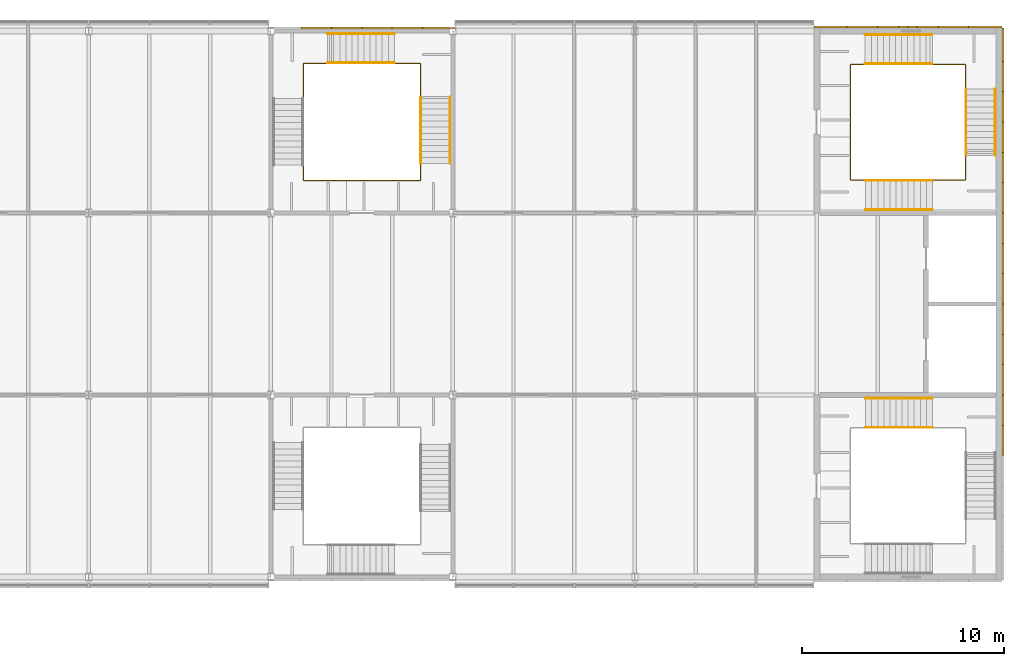
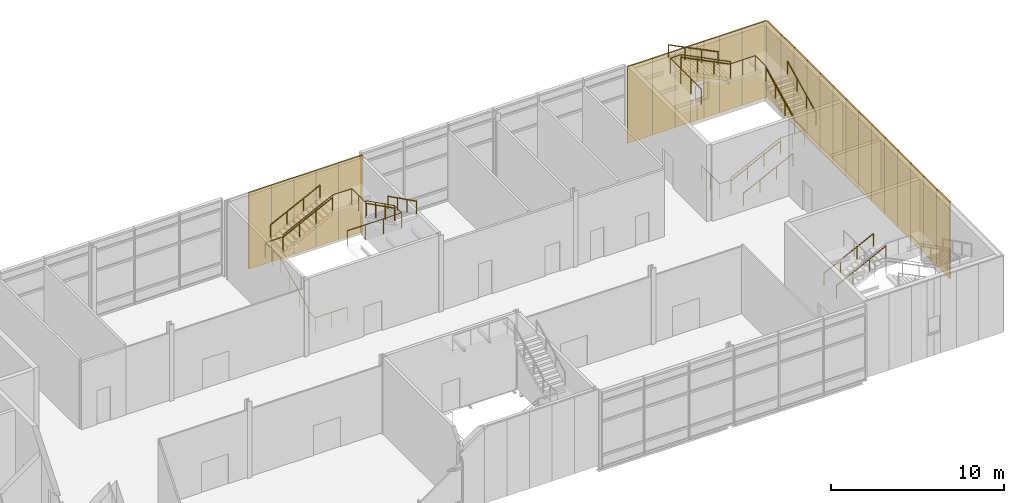
# One storey, part 53 of 53: 29 coverings, 14 railings.
"""IFC4 building model written with IfcOpenShell, lengths in metres."""

from ifc_helpers import new_model, si_unit, direction, frame, origin, origin_2d, place, context, subcontext, project, spatial, rectangle, circle, extrude, material, layer, layer_set, type_object, element, save


model = new_model("IFC4")

# Units and contexts
model_context = context("Model", 3, precision=1e-05, world=origin(), true_north=direction((0.0, 1.0)))
body_context = subcontext(model_context, "Body", "Model", "MODEL_VIEW")
ifc_project = project(units=[si_unit("LENGTHUNIT", "METRE"), si_unit("AREAUNIT", "SQUARE_METRE"), si_unit("VOLUMEUNIT", "CUBIC_METRE"), si_unit("PLANEANGLEUNIT", "RADIAN"), si_unit("MASSUNIT", "GRAM", prefix="KILO")], contexts=[model_context])

# Site, building, storey
site_placement = place(None, origin())
site = spatial("IfcSite", under=ifc_project, at=site_placement, CompositionType="ELEMENT")
building_placement = place(site_placement, origin())
building = spatial("IfcBuilding", under=site, at=building_placement, Name="Azimuth Sports and Learning Centre", CompositionType="ELEMENT")
storey_placement = place(building_placement, frame((0.0, 0.0, 10.800048828125)))
storey = spatial("IfcBuildingStorey", under=building, at=storey_placement, Name="L02", CompositionType="ELEMENT", Elevation=10.800048828125)

# Coverings
ifc_material_1 = material(Name="Cladding panel")
ifc_layer = layer(ifc_material_1, 0.10009765625)
ifc_layer_set = layer_set([ifc_layer], Name="Cladding panel")
covering_type = type_object("IfcCoveringType", Name="Cladding panel 100", PredefinedType="CLADDING", material=ifc_layer_set)
for number, where, z_axis, x_axis, name in (
    (1, (171.199951171875, 96.75, 0.0), (0.0, 0.0, 1.0), (0.0, 1.0, 0.0), "Cladding panel E-END E L02 5"),
    (2, (171.199951171875, 98.25, 0.0), (0.0, 0.0, 1.0), (0.0, 1.0, 0.0), "Cladding panel E-END E L02 6"),
    (3, (171.199951171875, 99.75, 0.0), (0.0, 0.0, 1.0), (0.0, 1.0, 0.0), "Cladding panel E-END E L02 7"),
    (4, (171.199951171875, 101.25, 0.0), (0.0, 0.0, 1.0), (0.0, 1.0, 0.0), "Cladding panel E-END E L02 8"),
    (5, (171.199951171875, 102.75, 0.0), (0.0, 0.0, 1.0), (0.0, 1.0, 0.0), "Cladding panel E-END E L02 9"),
    (6, (171.199951171875, 104.25, 0.0), (0.0, 0.0, 1.0), (0.0, 1.0, 0.0), "Cladding panel E-END E L02 10"),
    (7, (171.199951171875, 105.75, 0.0), (0.0, 0.0, 1.0), (0.0, 1.0, 0.0), "Cladding panel E-END E L02 11"),
    (8, (171.199951171875, 107.25, 0.0), (0.0, 0.0, 1.0), (0.0, 1.0, 0.0), "Cladding panel E-END E L02 12"),
    (9, (171.199951171875, 108.75, 0.0), (0.0, 0.0, 1.0), (0.0, 1.0, 0.0), "Cladding panel E-END E L02 13"),
    (10, (171.199951171875, 110.25, 0.0), (0.0, 0.0, 1.0), (0.0, 1.0, 0.0), "Cladding panel E-END E L02 14"),
    (11, (171.199951171875, 111.75, 0.0), (0.0, 0.0, 1.0), (0.0, 1.0, 0.0), "Cladding panel E-END E L02 15"),
    (12, (171.199951171875, 113.25, 0.0), (0.0, 0.0, 1.0), (0.0, 1.0, 0.0), "Cladding panel E-END E L02 16"),
    (13, (171.199951171875, 114.75, 0.0), (0.0, 0.0, 1.0), (0.0, 1.0, 0.0), "Cladding panel E-END E L02 17"),
):
    element("IfcCovering", number, at=place(storey_placement, frame(where, z_axis=z_axis, x_axis=x_axis)), inside=storey, type_object=covering_type, Name=name, PredefinedType="CLADDING", context=body_context, shape_type="SweptSolid", body=[
        extrude(rectangle(XDim=1.5, YDim=0.10009765625, at=origin_2d()), origin(), (0.0, 0.0, 1.0), 5.39990234375),
    ])
for number, where, z_axis, x_axis, name in (
    (14, (171.199951171875, 116.324951171875, 0.0), (0.0, 0.0, 1.0), (0.0, 1.0, 0.0), "Cladding panel E-END E L02 18"),
    (15, (170.324951171875, 117.199951171875, 0.0), (0.0, 0.0, 1.0), (-1.0, 0.0, 0.0), "Cladding panel N-END E L02 1"),
):
    element("IfcCovering", number, at=place(storey_placement, frame(where, z_axis=z_axis, x_axis=x_axis)), inside=storey, type_object=covering_type, Name=name, PredefinedType="CLADDING", context=body_context, shape_type="SweptSolid", body=[
        extrude(rectangle(XDim=1.64990234375, YDim=0.10009765625, at=origin_2d()), origin(), (0.0, 0.0, 1.0), 5.39990234375),
    ])
covering_1_placement = place(storey_placement, frame((168.75, 117.199951171875, 0.0), z_axis=(0.0, 0.0, 1.0), x_axis=(-1.0, 0.0, 0.0)))
element("IfcCovering", 16, at=covering_1_placement, inside=storey, type_object=covering_type, Name="Cladding panel N-END E L02 2", PredefinedType="CLADDING", context=body_context, shape_type="SweptSolid", body=[
    extrude(rectangle(XDim=1.5, YDim=0.10009765625, at=origin_2d()), origin(), (0.0, 0.0, 1.0), 5.39990234375),
])
covering_2_placement = place(storey_placement, frame((167.47509765625, 117.199951171875, 0.0), z_axis=(0.0, 0.0, 1.0), x_axis=(-1.0, 0.0, 0.0)))
element("IfcCovering", 17, at=covering_2_placement, inside=storey, type_object=covering_type, Name="Cladding panel N-END E L02 3", PredefinedType="CLADDING", context=body_context, shape_type="SweptSolid", body=[
    extrude(rectangle(XDim=1.050048828125, YDim=0.10009765625, at=origin_2d()), origin(), (0.0, 0.0, 1.0), 5.39990234375),
])
covering_3_placement = place(storey_placement, frame((166.72509765625, 117.199951171875, 0.0), z_axis=(0.0, 0.0, 1.0), x_axis=(-1.0, 0.0, 0.0)))
element("IfcCovering", 18, at=covering_3_placement, inside=storey, type_object=covering_type, Name="Cladding panel N-END E L02 4", PredefinedType="CLADDING", context=body_context, shape_type="SweptSolid", body=[
    extrude(rectangle(XDim=0.449951171875, YDim=0.10009765625, at=origin_2d()), origin(), (0.0, 0.0, 1.0), 1.5),
])
covering_4_placement = place(storey_placement, frame((166.72509765625, 117.199951171875, 2.7001953125), z_axis=(0.0, 0.0, 1.0), x_axis=(-1.0, 0.0, 0.0)))
element("IfcCovering", 19, at=covering_4_placement, inside=storey, type_object=covering_type, Name="Cladding panel N-END E L02 5", PredefinedType="CLADDING", context=body_context, shape_type="SweptSolid", body=[
    extrude(rectangle(XDim=0.449951171875, YDim=0.10009765625, at=origin_2d()), origin(), (0.0, 0.0, 1.0), 2.699951171875),
])
covering_5_placement = place(storey_placement, frame((165.52490234375, 117.199951171875, 0.0), z_axis=(0.0, 0.0, 1.0), x_axis=(-1.0, 0.0, 0.0)))
element("IfcCovering", 20, at=covering_5_placement, inside=storey, type_object=covering_type, Name="Cladding panel N-END E L02 6", PredefinedType="CLADDING", context=body_context, shape_type="SweptSolid", body=[
    extrude(rectangle(XDim=1.050048828125, YDim=0.10009765625, at=origin_2d()), origin(), (0.0, 0.0, 1.0), 5.39990234375),
])
covering_6_placement = place(storey_placement, frame((166.27490234375, 117.199951171875, 0.0), z_axis=(0.0, 0.0, 1.0), x_axis=(-1.0, 0.0, 0.0)))
element("IfcCovering", 21, at=covering_6_placement, inside=storey, type_object=covering_type, Name="Cladding panel N-END E L02 7", PredefinedType="CLADDING", context=body_context, shape_type="SweptSolid", body=[
    extrude(rectangle(XDim=0.449951171875, YDim=0.10009765625, at=origin_2d()), origin(), (0.0, 0.0, 1.0), 1.5),
])
covering_7_placement = place(storey_placement, frame((166.27490234375, 117.199951171875, 2.7001953125), z_axis=(0.0, 0.0, 1.0), x_axis=(-1.0, 0.0, 0.0)))
element("IfcCovering", 22, at=covering_7_placement, inside=storey, type_object=covering_type, Name="Cladding panel N-END E L02 8", PredefinedType="CLADDING", context=body_context, shape_type="SweptSolid", body=[
    extrude(rectangle(XDim=0.449951171875, YDim=0.10009765625, at=origin_2d()), origin(), (0.0, 0.0, 1.0), 2.699951171875),
])
covering_8_placement = place(storey_placement, frame((164.25, 117.199951171875, 0.0), z_axis=(0.0, 0.0, 1.0), x_axis=(-1.0, 0.0, 0.0)))
element("IfcCovering", 23, at=covering_8_placement, inside=storey, type_object=covering_type, Name="Cladding panel N-END E L02 9", PredefinedType="CLADDING", context=body_context, shape_type="SweptSolid", body=[
    extrude(rectangle(XDim=1.5, YDim=0.10009765625, at=origin_2d()), origin(), (0.0, 0.0, 1.0), 5.39990234375),
])
covering_9_placement = place(storey_placement, frame((162.675048828125, 117.199951171875, 0.0), z_axis=(0.0, 0.0, 1.0), x_axis=(-1.0, 0.0, 0.0)))
element("IfcCovering", 24, at=covering_9_placement, inside=storey, type_object=covering_type, Name="Cladding panel N-END E L02 10", PredefinedType="CLADDING", context=body_context, shape_type="SweptSolid", body=[
    extrude(rectangle(XDim=1.64990234375, YDim=0.10009765625, at=origin_2d()), origin(), (0.0, 0.0, 1.0), 5.39990234375),
])
covering_10_placement = place(storey_placement, frame((143.300048828125, 117.14990234375, 0.0), z_axis=(0.0, 0.0, 1.0), x_axis=(-1.0, 0.0, 0.0)))
element("IfcCovering", 25, at=covering_10_placement, inside=storey, type_object=covering_type, Name="Cladding panel N-EM2 L02 1", PredefinedType="CLADDING", context=body_context, shape_type="SweptSolid", body=[
    extrude(rectangle(XDim=1.60009765625, YDim=0.10009765625, at=origin_2d()), origin(), (0.0, 0.0, 1.0), 5.39990234375),
])
for number, where, z_axis, x_axis, name in (
    (26, (141.75, 117.14990234375, 0.0), (0.0, 0.0, 1.0), (-1.0, 0.0, 0.0), "Cladding panel N-EM2 L02 2"),
    (27, (140.25, 117.14990234375, 0.0), (0.0, 0.0, 1.0), (-1.0, 0.0, 0.0), "Cladding panel N-EM2 L02 3"),
    (28, (138.75, 117.14990234375, 0.0), (0.0, 0.0, 1.0), (-1.0, 0.0, 0.0), "Cladding panel N-EM2 L02 4"),
    (29, (137.25, 117.14990234375, 0.0), (0.0, 0.0, 1.0), (-1.0, 0.0, 0.0), "Cladding panel N-EM2 L02 5"),
):
    element("IfcCovering", number, at=place(storey_placement, frame(where, z_axis=z_axis, x_axis=x_axis)), inside=storey, type_object=covering_type, Name=name, PredefinedType="CLADDING", context=body_context, shape_type="SweptSolid", body=[
        extrude(rectangle(XDim=1.5, YDim=0.10009765625, at=origin_2d()), origin(), (0.0, 0.0, 1.0), 5.39990234375),
    ])

# Railings
ifc_material_2 = material(Name="Stainless steel", Category="steel")
railing_type_1 = type_object("IfcRailingType", Name="Stair guard 1100", PredefinedType="GUARDRAIL", material=ifc_material_2)
railing_1_placement = place(storey_placement, frame((163.659912109375, 111.75, 0.0)))
element("IfcRailing", 30, at=railing_1_placement, inside=storey, type_object=railing_type_1, Name="Guard EW2 L02 well", PredefinedType="GUARDRAIL", context=body_context, shape_type="SweptSolid", body=[
    extrude(circle(Radius=0.02392578125, at=origin_2d()), frame((0.0, 0.0, 1.076171875), z_axis=(0.0, -1.0, 0.0), x_axis=(1.0, 0.0, 0.0)), (0.0, 0.0, 1.0), 2.114990234375),
    extrude(circle(Radius=0.02392578125, at=origin_2d()), frame((0.0, -2.114990234375, 1.076171875), z_axis=(1.0, 0.0, 0.0), x_axis=(0.0, 1.0, 0.0)), (0.0, 0.0, 1.0), 0.75),
    extrude(circle(Radius=0.02392578125, at=origin_2d()), frame((0.75, -2.114990234375, 1.076171875), z_axis=(0.0, 0.0, 1.0), x_axis=(1.0, 0.0, 0.0)), (0.0, 0.0, 1.0), 0.14990234375),
    extrude(circle(Radius=0.02392578125, at=origin_2d()), frame((0.75, -2.114990234375, 1.22607421875), z_axis=(0.894413956696, 0.0, 0.447240063129), x_axis=(0.0, 1.0, 0.0)), (0.0, 0.0, 1.0), 3.689697265625),
    extrude(circle(Radius=0.02392578125, at=origin_2d()), frame((4.050048828125, -2.114990234375, 2.8759765625), z_axis=(1.0, 0.0, 0.0), x_axis=(0.0, 1.0, 0.0)), (0.0, 0.0, 1.0), 1.630126953125),
    extrude(circle(Radius=0.02392578125, at=origin_2d()), frame((5.68017578125, -2.114990234375, 2.8759765625), z_axis=(0.0, 1.0, 0.0), x_axis=(-1.0, 0.0, 0.0)), (0.0, 0.0, 1.0), 1.199951171875),
    extrude(circle(Radius=0.02392578125, at=origin_2d()), frame((5.68017578125, -0.9150390625, 2.8759765625), z_axis=(0.0, 0.0, 1.0), x_axis=(1.0, 0.0, 0.0)), (0.0, 0.0, 1.0), 0.14990234375),
    extrude(circle(Radius=0.02392578125, at=origin_2d()), frame((5.68017578125, -0.9150390625, 3.02587890625), z_axis=(0.0, 0.894440424912, 0.447187126696), x_axis=(-1.0, 0.0, 0.0)), (0.0, 0.0, 1.0), 3.689453125),
    extrude(circle(Radius=0.02392578125, at=origin_2d()), frame((5.68017578125, 2.385009765625, 4.67578125), z_axis=(0.0, 1.0, 0.0), x_axis=(-1.0, 0.0, 0.0)), (0.0, 0.0, 1.0), 1.205078125),
    extrude(circle(Radius=0.02392578125, at=origin_2d()), frame((5.68017578125, 3.590087890625, 4.67578125), z_axis=(-1.0, 0.0, 0.0), x_axis=(0.0, -1.0, 0.0)), (0.0, 0.0, 1.0), 1.650146484375),
    extrude(circle(Radius=0.02392578125, at=origin_2d()), frame((4.030029296875, 3.590087890625, 4.67578125), z_axis=(0.0, 0.0, 1.0), x_axis=(1.0, 0.0, 0.0)), (0.0, 0.0, 1.0), 0.150146484375),
    extrude(circle(Radius=0.02392578125, at=origin_2d()), frame((4.030029296875, 3.590087890625, 4.826171875), z_axis=(-0.894440424912, 0.0, 0.447187126696), x_axis=(0.0, -1.0, 0.0)), (0.0, 0.0, 1.0), 3.689453125),
    extrude(circle(Radius=0.02392578125, at=origin_2d()), frame((0.72998046875, 3.590087890625, 6.47607421875), z_axis=(-1.0, 0.0, 0.0), x_axis=(0.0, -1.0, 0.0)), (0.0, 0.0, 1.0), 0.72998046875),
    extrude(circle(Radius=0.02392578125, at=origin_2d()), frame((0.0, 3.590087890625, 6.47607421875), z_axis=(0.0, -1.0, 0.0), x_axis=(1.0, 0.0, 0.0)), (0.0, 0.0, 1.0), 3.590087890625),
    extrude(circle(Radius=0.01611328125, at=origin_2d()), origin(), (0.0, 0.0, 1.0), 1.052001953125),
    extrude(circle(Radius=0.01611328125, at=origin_2d()), frame((0.0, -1.0576171875, 0.0)), (0.0, 0.0, 1.0), 1.052001953125),
    extrude(circle(Radius=0.01611328125, at=origin_2d()), frame((0.0, -2.114990234375, 0.0)), (0.0, 0.0, 1.0), 1.052001953125),
    extrude(circle(Radius=0.01611328125, at=origin_2d()), frame((0.75, -2.114990234375, 0.0)), (0.0, 0.0, 1.0), 1.052001953125),
    extrude(circle(Radius=0.01611328125, at=origin_2d()), frame((0.75, -2.114990234375, 0.14990234375)), (0.0, 0.0, 1.0), 1.052001953125),
    extrude(circle(Radius=0.01611328125, at=origin_2d()), frame((1.85009765625, -2.114990234375, 0.699951171875)), (0.0, 0.0, 1.0), 1.052001953125),
    extrude(circle(Radius=0.01611328125, at=origin_2d()), frame((2.949951171875, -2.114990234375, 1.25)), (0.0, 0.0, 1.0), 1.052001953125),
    extrude(circle(Radius=0.01611328125, at=origin_2d()), frame((4.050048828125, -2.114990234375, 1.800048828125)), (0.0, 0.0, 1.0), 1.052001953125),
    extrude(circle(Radius=0.01611328125, at=origin_2d()), frame((4.865234375, -2.114990234375, 1.800048828125)), (0.0, 0.0, 1.0), 1.052001953125),
    extrude(circle(Radius=0.01611328125, at=origin_2d()), frame((5.68017578125, -2.114990234375, 1.800048828125)), (0.0, 0.0, 1.0), 1.052001953125),
    extrude(circle(Radius=0.01611328125, at=origin_2d()), frame((5.68017578125, -0.9150390625, 1.800048828125)), (0.0, 0.0, 1.0), 1.052001953125),
    extrude(circle(Radius=0.01611328125, at=origin_2d()), frame((5.68017578125, -0.9150390625, 1.949951171875)), (0.0, 0.0, 1.0), 1.052001953125),
    extrude(circle(Radius=0.01611328125, at=origin_2d()), frame((5.68017578125, 0.18505859375, 2.5)), (0.0, 0.0, 1.0), 1.052001953125),
    extrude(circle(Radius=0.01611328125, at=origin_2d()), frame((5.68017578125, 1.284912109375, 3.0498046875)), (0.0, 0.0, 1.0), 1.052001953125),
    extrude(circle(Radius=0.01611328125, at=origin_2d()), frame((5.68017578125, 2.385009765625, 3.599853515625)), (0.0, 0.0, 1.0), 1.052001953125),
    extrude(circle(Radius=0.01611328125, at=origin_2d()), frame((5.68017578125, 3.590087890625, 3.599853515625)), (0.0, 0.0, 1.0), 1.052001953125),
    extrude(circle(Radius=0.01611328125, at=origin_2d()), frame((4.85498046875, 3.590087890625, 3.599853515625)), (0.0, 0.0, 1.0), 1.052001953125),
    extrude(circle(Radius=0.01611328125, at=origin_2d()), frame((4.030029296875, 3.590087890625, 3.599853515625)), (0.0, 0.0, 1.0), 1.052001953125),
    extrude(circle(Radius=0.01611328125, at=origin_2d()), frame((4.030029296875, 3.590087890625, 3.75)), (0.0, 0.0, 1.0), 1.052001953125),
    extrude(circle(Radius=0.01611328125, at=origin_2d()), frame((2.929931640625, 3.590087890625, 4.300048828125)), (0.0, 0.0, 1.0), 1.052001953125),
    extrude(circle(Radius=0.01611328125, at=origin_2d()), frame((1.830078125, 3.590087890625, 4.849853515625)), (0.0, 0.0, 1.0), 1.052001953125),
    extrude(circle(Radius=0.01611328125, at=origin_2d()), frame((0.72998046875, 3.590087890625, 5.39990234375)), (0.0, 0.0, 1.0), 1.052001953125),
    extrude(circle(Radius=0.01611328125, at=origin_2d()), frame((0.0, 3.590087890625, 5.39990234375)), (0.0, 0.0, 1.0), 1.052001953125),
    extrude(circle(Radius=0.01611328125, at=origin_2d()), frame((0.0, 2.393310546875, 5.39990234375)), (0.0, 0.0, 1.0), 1.052001953125),
    extrude(circle(Radius=0.01611328125, at=origin_2d()), frame((0.0, 1.19677734375, 5.39990234375)), (0.0, 0.0, 1.0), 1.052001953125),
    extrude(circle(Radius=0.01611328125, at=origin_2d()), frame((0.0, 0.0, 5.39990234375)), (0.0, 0.0, 1.0), 1.052001953125),
])
railing_2_placement = place(storey_placement, frame((138.75, 109.610107421875, 0.0)))
element("IfcRailing", 31, at=railing_2_placement, inside=storey, type_object=railing_type_1, Name="Guard EM2 L02 well", PredefinedType="GUARDRAIL", context=body_context, shape_type="SweptSolid", body=[
    extrude(circle(Radius=0.02392578125, at=origin_2d()), frame((0.0, 0.0, 1.076171875), z_axis=(-1.0, 0.0, 0.0), x_axis=(0.0, -1.0, 0.0)), (0.0, 0.0, 1.0), 2.139892578125),
    extrude(circle(Radius=0.02392578125, at=origin_2d()), frame((-2.139892578125, 0.0, 1.076171875), z_axis=(0.0, 1.0, 0.0), x_axis=(-1.0, 0.0, 0.0)), (0.0, 0.0, 1.0), 0.75),
    extrude(circle(Radius=0.02392578125, at=origin_2d()), frame((-2.139892578125, 0.75, 1.076171875), z_axis=(0.0, 0.0, 1.0), x_axis=(1.0, 0.0, 0.0)), (0.0, 0.0, 1.0), 0.14990234375),
    extrude(circle(Radius=0.02392578125, at=origin_2d()), frame((-2.139892578125, 0.75, 1.22607421875), z_axis=(0.0, 0.894400720042, 0.447266533499), x_axis=(-1.0, 0.0, 0.0)), (0.0, 0.0, 1.0), 3.689453125),
    extrude(circle(Radius=0.02392578125, at=origin_2d()), frame((-2.139892578125, 4.0498046875, 2.8759765625), z_axis=(0.0, 1.0, 0.0), x_axis=(-1.0, 0.0, 0.0)), (0.0, 0.0, 1.0), 1.72998046875),
    extrude(circle(Radius=0.02392578125, at=origin_2d()), frame((-2.139892578125, 5.77978515625, 2.8759765625), z_axis=(1.0, 0.0, 0.0), x_axis=(0.0, 1.0, 0.0)), (0.0, 0.0, 1.0), 1.199951171875),
    extrude(circle(Radius=0.02392578125, at=origin_2d()), frame((-0.93994140625, 5.77978515625, 2.8759765625), z_axis=(0.0, 0.0, 1.0), x_axis=(1.0, 0.0, 0.0)), (0.0, 0.0, 1.0), 0.14990234375),
    extrude(circle(Radius=0.02392578125, at=origin_2d()), frame((-0.93994140625, 5.77978515625, 3.02587890625), z_axis=(0.894440424912, 0.0, 0.447187126696), x_axis=(0.0, 1.0, 0.0)), (0.0, 0.0, 1.0), 3.689453125),
    extrude(circle(Radius=0.02392578125, at=origin_2d()), frame((2.360107421875, 5.77978515625, 4.67578125), z_axis=(1.0, 0.0, 0.0), x_axis=(0.0, 1.0, 0.0)), (0.0, 0.0, 1.0), 1.27978515625),
    extrude(circle(Radius=0.02392578125, at=origin_2d()), frame((3.639892578125, 5.77978515625, 4.67578125), z_axis=(0.0, -1.0, 0.0), x_axis=(1.0, 0.0, 0.0)), (0.0, 0.0, 1.0), 1.64990234375),
    extrude(circle(Radius=0.02392578125, at=origin_2d()), frame((3.639892578125, 4.1298828125, 4.67578125), z_axis=(0.0, 0.0, 1.0), x_axis=(1.0, 0.0, 0.0)), (0.0, 0.0, 1.0), 0.150146484375),
    extrude(circle(Radius=0.02392578125, at=origin_2d()), frame((3.639892578125, 4.1298828125, 4.826171875), z_axis=(0.0, -0.894440424912, 0.447187126696), x_axis=(1.0, 0.0, 0.0)), (0.0, 0.0, 1.0), 3.689453125),
    extrude(circle(Radius=0.02392578125, at=origin_2d()), frame((3.639892578125, 0.829833984375, 6.47607421875), z_axis=(0.0, -1.0, 0.0), x_axis=(1.0, 0.0, 0.0)), (0.0, 0.0, 1.0), 0.829833984375),
    extrude(circle(Radius=0.02392578125, at=origin_2d()), frame((3.639892578125, 0.0, 6.47607421875), z_axis=(-1.0, 0.0, 0.0), x_axis=(0.0, -1.0, 0.0)), (0.0, 0.0, 1.0), 3.639892578125),
    extrude(circle(Radius=0.01611328125, at=origin_2d()), origin(), (0.0, 0.0, 1.0), 1.052001953125),
    extrude(circle(Radius=0.01611328125, at=origin_2d()), frame((-1.06982421875, 0.0, 0.0)), (0.0, 0.0, 1.0), 1.052001953125),
    extrude(circle(Radius=0.01611328125, at=origin_2d()), frame((-2.139892578125, 0.0, 0.0)), (0.0, 0.0, 1.0), 1.052001953125),
    extrude(circle(Radius=0.01611328125, at=origin_2d()), frame((-2.139892578125, 0.75, 0.0)), (0.0, 0.0, 1.0), 1.052001953125),
    extrude(circle(Radius=0.01611328125, at=origin_2d()), frame((-2.139892578125, 0.75, 0.14990234375)), (0.0, 0.0, 1.0), 1.052001953125),
    extrude(circle(Radius=0.01611328125, at=origin_2d()), frame((-2.139892578125, 1.849853515625, 0.699951171875)), (0.0, 0.0, 1.0), 1.052001953125),
    extrude(circle(Radius=0.01611328125, at=origin_2d()), frame((-2.139892578125, 2.949951171875, 1.25)), (0.0, 0.0, 1.0), 1.052001953125),
    extrude(circle(Radius=0.01611328125, at=origin_2d()), frame((-2.139892578125, 4.0498046875, 1.800048828125)), (0.0, 0.0, 1.0), 1.052001953125),
    extrude(circle(Radius=0.01611328125, at=origin_2d()), frame((-2.139892578125, 4.914794921875, 1.800048828125)), (0.0, 0.0, 1.0), 1.052001953125),
    extrude(circle(Radius=0.01611328125, at=origin_2d()), frame((-2.139892578125, 5.77978515625, 1.800048828125)), (0.0, 0.0, 1.0), 1.052001953125),
    extrude(circle(Radius=0.01611328125, at=origin_2d()), frame((-0.93994140625, 5.77978515625, 1.800048828125)), (0.0, 0.0, 1.0), 1.052001953125),
    extrude(circle(Radius=0.01611328125, at=origin_2d()), frame((-0.93994140625, 5.77978515625, 1.949951171875)), (0.0, 0.0, 1.0), 1.052001953125),
    extrude(circle(Radius=0.01611328125, at=origin_2d()), frame((0.16015625, 5.77978515625, 2.5)), (0.0, 0.0, 1.0), 1.052001953125),
    extrude(circle(Radius=0.01611328125, at=origin_2d()), frame((1.260009765625, 5.77978515625, 3.0498046875)), (0.0, 0.0, 1.0), 1.052001953125),
    extrude(circle(Radius=0.01611328125, at=origin_2d()), frame((2.360107421875, 5.77978515625, 3.599853515625)), (0.0, 0.0, 1.0), 1.052001953125),
    extrude(circle(Radius=0.01611328125, at=origin_2d()), frame((3.639892578125, 5.77978515625, 3.599853515625)), (0.0, 0.0, 1.0), 1.052001953125),
    extrude(circle(Radius=0.01611328125, at=origin_2d()), frame((3.639892578125, 4.954833984375, 3.599853515625)), (0.0, 0.0, 1.0), 1.052001953125),
    extrude(circle(Radius=0.01611328125, at=origin_2d()), frame((3.639892578125, 4.1298828125, 3.599853515625)), (0.0, 0.0, 1.0), 1.052001953125),
    extrude(circle(Radius=0.01611328125, at=origin_2d()), frame((3.639892578125, 4.1298828125, 3.75)), (0.0, 0.0, 1.0), 1.052001953125),
    extrude(circle(Radius=0.01611328125, at=origin_2d()), frame((3.639892578125, 3.02978515625, 4.300048828125)), (0.0, 0.0, 1.0), 1.052001953125),
    extrude(circle(Radius=0.01611328125, at=origin_2d()), frame((3.639892578125, 1.929931640625, 4.849853515625)), (0.0, 0.0, 1.0), 1.052001953125),
    extrude(circle(Radius=0.01611328125, at=origin_2d()), frame((3.639892578125, 0.829833984375, 5.39990234375)), (0.0, 0.0, 1.0), 1.052001953125),
    extrude(circle(Radius=0.01611328125, at=origin_2d()), frame((3.639892578125, 0.0, 5.39990234375)), (0.0, 0.0, 1.0), 1.052001953125),
    extrude(circle(Radius=0.01611328125, at=origin_2d()), frame((2.426513671875, 0.0, 5.39990234375)), (0.0, 0.0, 1.0), 1.052001953125),
    extrude(circle(Radius=0.01611328125, at=origin_2d()), frame((1.21337890625, 0.0, 5.39990234375)), (0.0, 0.0, 1.0), 1.052001953125),
    extrude(circle(Radius=0.01611328125, at=origin_2d()), frame((0.0, 0.0, 5.39990234375)), (0.0, 0.0, 1.0), 1.052001953125),
])
ifc_material_3 = material(Name="Stainless steel", Category="steel")
railing_type_2 = type_object("IfcRailingType", Name="Stair handrail 42", PredefinedType="HANDRAIL", material=ifc_material_3)
for number, where, name in (
    (32, (164.409912109375, 97.39501953125, 0.14990234375), "Handrail EW1 L02 flight 1 inner"),
    (33, (164.409912109375, 98.8349609375, 0.14990234375), "Handrail EW1 L02 flight 1 outer"),
    (34, (164.409912109375, 109.60498046875, 0.14990234375), "Handrail EW2 L02 flight 1 inner"),
    (35, (164.409912109375, 108.1650390625, 0.14990234375), "Handrail EW2 L02 flight 1 outer"),
):
    element("IfcRailing", number, at=place(storey_placement, frame(where)), inside=storey, type_object=railing_type_2, Name=name, PredefinedType="HANDRAIL", context=body_context, shape_type="SweptSolid", body=[
        extrude(circle(Radius=0.02099609375, at=origin_2d()), frame((0.0, 0.0, 0.87890625), z_axis=(0.894413956696, 0.0, 0.447240063129), x_axis=(0.0, 1.0, 0.0)), (0.0, 0.0, 1.0), 3.689697265625),
        extrude(circle(Radius=0.01611328125, at=origin_2d()), origin(), (0.0, 0.0, 1.0), 0.85791015625),
        extrude(circle(Radius=0.01611328125, at=origin_2d()), frame((1.10009765625, 0.0, 0.550048828125)), (0.0, 0.0, 1.0), 0.85791015625),
        extrude(circle(Radius=0.01611328125, at=origin_2d()), frame((2.199951171875, 0.0, 1.10009765625)), (0.0, 0.0, 1.0), 0.85791015625),
        extrude(circle(Radius=0.01611328125, at=origin_2d()), frame((3.300048828125, 0.0, 1.650146484375)), (0.0, 0.0, 1.0), 0.85791015625),
    ])
for number, where, name in (
    (36, (169.3701171875, 110.8349609375, 1.949951171875), "Handrail EW2 L02 flight 2 inner"),
    (37, (170.81005859375, 110.8349609375, 1.949951171875), "Handrail EW2 L02 flight 2 outer"),
):
    element("IfcRailing", number, at=place(storey_placement, frame(where)), inside=storey, type_object=railing_type_2, Name=name, PredefinedType="HANDRAIL", context=body_context, shape_type="SweptSolid", body=[
        extrude(circle(Radius=0.02099609375, at=origin_2d()), frame((0.0, 0.0, 0.87890625), z_axis=(0.0, 0.894440424912, 0.447187126696), x_axis=(-1.0, 0.0, 0.0)), (0.0, 0.0, 1.0), 3.689453125),
        extrude(circle(Radius=0.01611328125, at=origin_2d()), origin(), (0.0, 0.0, 1.0), 0.85791015625),
        extrude(circle(Radius=0.01611328125, at=origin_2d()), frame((0.0, 1.10009765625, 0.550048828125)), (0.0, 0.0, 1.0), 0.85791015625),
        extrude(circle(Radius=0.01611328125, at=origin_2d()), frame((0.0, 2.199951171875, 1.099853515625)), (0.0, 0.0, 1.0), 0.85791015625),
        extrude(circle(Radius=0.01611328125, at=origin_2d()), frame((0.0, 3.300048828125, 1.64990234375)), (0.0, 0.0, 1.0), 0.85791015625),
    ])
for number, where, name in (
    (38, (167.68994140625, 115.3701171875, 3.75), "Handrail EW2 L02 flight 3 inner"),
    (39, (167.68994140625, 116.81005859375, 3.75), "Handrail EW2 L02 flight 3 outer"),
):
    element("IfcRailing", number, at=place(storey_placement, frame(where)), inside=storey, type_object=railing_type_2, Name=name, PredefinedType="HANDRAIL", context=body_context, shape_type="SweptSolid", body=[
        extrude(circle(Radius=0.02099609375, at=origin_2d()), frame((0.0, 0.0, 0.87890625), z_axis=(-0.894440424912, 0.0, 0.447187126696), x_axis=(0.0, -1.0, 0.0)), (0.0, 0.0, 1.0), 3.689453125),
        extrude(circle(Radius=0.01611328125, at=origin_2d()), origin(), (0.0, 0.0, 1.0), 0.85791015625),
        extrude(circle(Radius=0.01611328125, at=origin_2d()), frame((-1.10009765625, 0.0, 0.550048828125)), (0.0, 0.0, 1.0), 0.85791015625),
        extrude(circle(Radius=0.01611328125, at=origin_2d()), frame((-2.199951171875, 0.0, 1.099853515625)), (0.0, 0.0, 1.0), 0.85791015625),
        extrude(circle(Radius=0.01611328125, at=origin_2d()), frame((-3.300048828125, 0.0, 1.64990234375)), (0.0, 0.0, 1.0), 0.85791015625),
    ])
for number, where, name in (
    (40, (137.81005859375, 115.419921875, 1.949951171875), "Handrail EM2 L02 flight 2 inner"),
    (41, (137.81005859375, 116.860107421875, 1.949951171875), "Handrail EM2 L02 flight 2 outer"),
):
    element("IfcRailing", number, at=place(storey_placement, frame(where)), inside=storey, type_object=railing_type_2, Name=name, PredefinedType="HANDRAIL", context=body_context, shape_type="SweptSolid", body=[
        extrude(circle(Radius=0.02099609375, at=origin_2d()), frame((0.0, 0.0, 0.87890625), z_axis=(0.894440424912, 0.0, 0.447187126696), x_axis=(0.0, 1.0, 0.0)), (0.0, 0.0, 1.0), 3.689453125),
        extrude(circle(Radius=0.01611328125, at=origin_2d()), origin(), (0.0, 0.0, 1.0), 0.85791015625),
        extrude(circle(Radius=0.01611328125, at=origin_2d()), frame((1.10009765625, 0.0, 0.550048828125)), (0.0, 0.0, 1.0), 0.85791015625),
        extrude(circle(Radius=0.01611328125, at=origin_2d()), frame((2.199951171875, 0.0, 1.099853515625)), (0.0, 0.0, 1.0), 0.85791015625),
        extrude(circle(Radius=0.01611328125, at=origin_2d()), frame((3.300048828125, 0.0, 1.64990234375)), (0.0, 0.0, 1.0), 0.85791015625),
    ])
for number, where, name in (
    (42, (142.419921875, 113.739990234375, 3.75), "Handrail EM2 L02 flight 3 inner"),
    (43, (143.860107421875, 113.739990234375, 3.75), "Handrail EM2 L02 flight 3 outer"),
):
    element("IfcRailing", number, at=place(storey_placement, frame(where)), inside=storey, type_object=railing_type_2, Name=name, PredefinedType="HANDRAIL", context=body_context, shape_type="SweptSolid", body=[
        extrude(circle(Radius=0.02099609375, at=origin_2d()), frame((0.0, 0.0, 0.87890625), z_axis=(0.0, -0.894440424912, 0.447187126696), x_axis=(1.0, 0.0, 0.0)), (0.0, 0.0, 1.0), 3.689453125),
        extrude(circle(Radius=0.01611328125, at=origin_2d()), origin(), (0.0, 0.0, 1.0), 0.85791015625),
        extrude(circle(Radius=0.01611328125, at=origin_2d()), frame((0.0, -1.10009765625, 0.550048828125)), (0.0, 0.0, 1.0), 0.85791015625),
        extrude(circle(Radius=0.01611328125, at=origin_2d()), frame((0.0, -2.199951171875, 1.099853515625)), (0.0, 0.0, 1.0), 0.85791015625),
        extrude(circle(Radius=0.01611328125, at=origin_2d()), frame((0.0, -3.300048828125, 1.64990234375)), (0.0, 0.0, 1.0), 0.85791015625),
    ])

save(model, "model.ifc")
